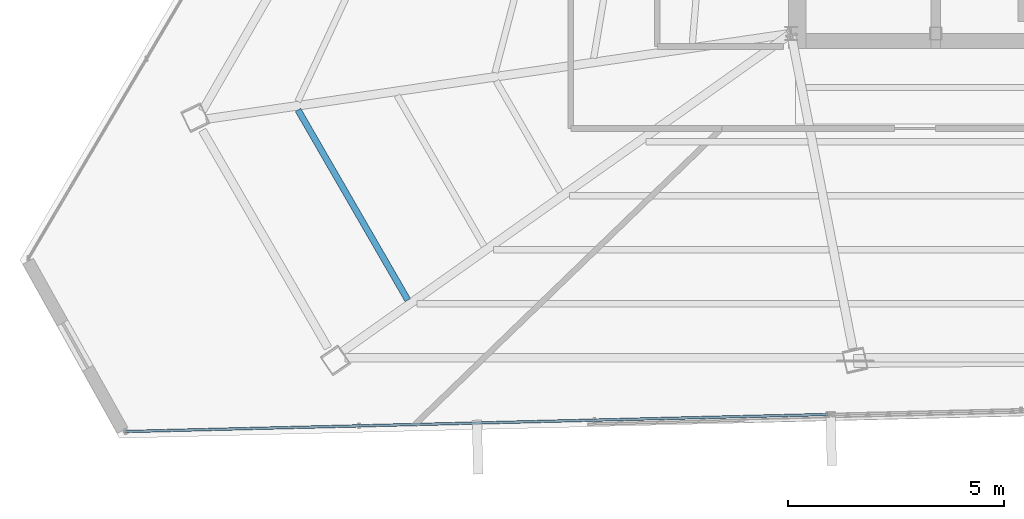
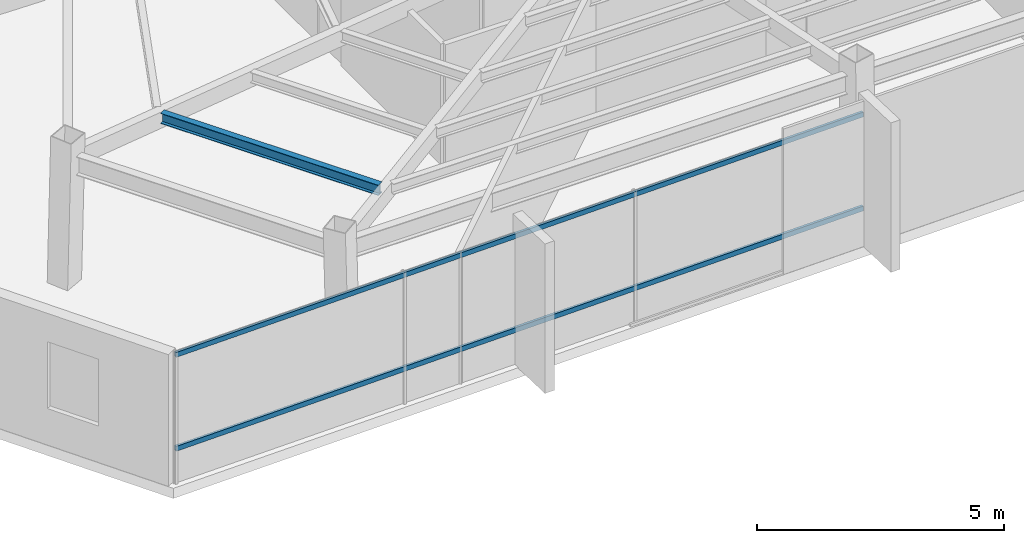
# One storey, part 4 of 44: 2 members, 1 beam, 1 element without a shape of its own.
"""IFC4 building model written with IfcOpenShell, lengths in metres."""

from ifc_helpers import new_model, si_unit, direction, frame, origin, origin_2d, place, context, subcontext, project, spatial, hollow_rectangle, i_section, extrude, source, transform, mapped, material, material_profile, profile_set, type_object, type_shapes, element, aggregate, save


model = new_model("IFC4")

# Units and contexts
model_context = context("Model", 3, precision=1e-05, world=origin(), true_north=direction((0.0, 1.0)))
body_context = subcontext(model_context, "Body", "Model", "MODEL_VIEW")
ifc_project = project(units=[si_unit("LENGTHUNIT", "METRE"), si_unit("AREAUNIT", "SQUARE_METRE"), si_unit("VOLUMEUNIT", "CUBIC_METRE"), si_unit("PLANEANGLEUNIT", "RADIAN"), si_unit("MASSUNIT", "GRAM", prefix="KILO")], contexts=[model_context])

# Site, building, storey
site_placement = place(None, origin())
site = spatial("IfcSite", under=ifc_project, at=site_placement, CompositionType="ELEMENT")
building_placement = place(site_placement, origin())
building = spatial("IfcBuilding", under=site, at=building_placement, Name="Caelisora Broadcast Tower", CompositionType="ELEMENT")
storey_placement = place(building_placement, frame((0.0, 0.0, 280.949951171875)))
storey = spatial("IfcBuildingStorey", under=building, at=storey_placement, Name="L74", CompositionType="ELEMENT", Elevation=280.949951171875)

# Beam
ifc_material_1 = material(Name="Steel Grade 350 (AS/NZS 3679.1)", Category="steel")
ifc_material_profile_1 = material_profile(ifc_material_1, i_section(OverallWidth=0.14599609375, OverallDepth=0.256103515625, WebThickness=0.00634765625, FlangeThickness=0.010986328125, at=origin_2d()), Name="Steel Grade 350 (AS/NZS 3679.1)")
ifc_profile_set_1 = profile_set([ifc_material_profile_1], Name="Steel Grade 350 (AS/NZS 3679.1)")
beam_type = type_object("IfcBeamType", Name="SB04", PredefinedType="JOIST", material=ifc_profile_set_1)
shared_shape_1 = source(origin(), body_context, "Body", "SweptSolid", [
    extrude(i_section(OverallWidth=0.14599609375, OverallDepth=0.256103515625, WebThickness=0.00634765625, FlangeThickness=0.010986328125, at=origin_2d()), origin(), (0.0, 0.0, 1.0), 5.08544921875),
])
type_shapes(beam_type, [shared_shape_1])
beam_placement = place(storey_placement, frame((19.08056640625, 15.63037109375, 3.1220703125), z_axis=(0.500006426884, -0.866021693189, 0.0), x_axis=(0.866021693189, 0.500006426884, 0.0)))
element("IfcBeam", 1, at=beam_placement, inside=storey, type_object=beam_type, Name="L74 beam SB04", PredefinedType="JOIST", context=body_context, shape_type="MappedRepresentation", body=[
    mapped(shared_shape_1, transform((0.0, 0.0, 0.0), scale=1.0)),
])

# Curtain wall, members
ifc_material_2 = material(Name="Unitised Aluminium and Low-E Glass Curtain Wall", Category="glass")
curtain_wall_type = type_object("IfcCurtainWallType", Name="CW-Z5", PredefinedType="NOTDEFINED", material=ifc_material_2)
curtain_wall_placement = place(storey_placement, origin())
curtain_wall = element("IfcCurtainWall", 2, at=curtain_wall_placement, inside=storey, type_object=curtain_wall_type, Name="L74 curtain wall CW-Z5", PredefinedType="NOTDEFINED")
ifc_material_3 = material(Name="Aluminium 6063-T6 Anodised Terracotta Bronze", Category="aluminium")
ifc_material_profile_2 = material_profile(ifc_material_3, hollow_rectangle(XDim=0.06005859375, YDim=0.1201171875, WallThickness=0.0029296875, at=origin_2d()), Name="Aluminium 6063-T6 Anodised Terracotta Bronze")
ifc_profile_set_2 = profile_set([ifc_material_profile_2], Name="Aluminium 6063-T6 Anodised Terracotta Bronze")
member_type = type_object("IfcMemberType", Name="CWT-03", PredefinedType="USERDEFINED", material=ifc_profile_set_2)
shared_shape_2 = source(origin(), body_context, "Body", "SweptSolid", [
    extrude(hollow_rectangle(XDim=0.06005859375, YDim=0.1201171875, WallThickness=0.0029296875, at=origin_2d()), origin(), (0.0, 0.0, 1.0), 16.281005859375),
])
type_shapes(member_type, [shared_shape_2])
member_1_placement = place(storey_placement, frame((31.360107421875, 8.577880859375, 0.85009765625), z_axis=(-0.999704524354, -0.024307693971, 0.0), x_axis=(0.024307693971, -0.999704524354, 0.0)))
member_1 = element("IfcMember", 3, at=member_1_placement, type_object=member_type, Name="L74-CW-B07 transom #1", ObjectType="TRANSOM", PredefinedType="USERDEFINED", context=body_context, shape_type="MappedRepresentation", body=[
    mapped(shared_shape_2, transform((0.0, 0.0, 0.0), scale=1.0)),
])
member_2_placement = place(storey_placement, frame((31.360107421875, 8.577880859375, 3.170166015625), z_axis=(-0.999704524354, -0.024307693971, 0.0), x_axis=(0.024307693971, -0.999704524354, 0.0)))
member_2 = element("IfcMember", 4, at=member_2_placement, type_object=member_type, Name="L74-CW-B07 transom #2", ObjectType="TRANSOM", PredefinedType="USERDEFINED", context=body_context, shape_type="MappedRepresentation", body=[
    mapped(shared_shape_2, transform((0.0, 0.0, 0.0), scale=1.0)),
])
aggregate(curtain_wall, [member_1, member_2])

save(model, "model.ifc")
